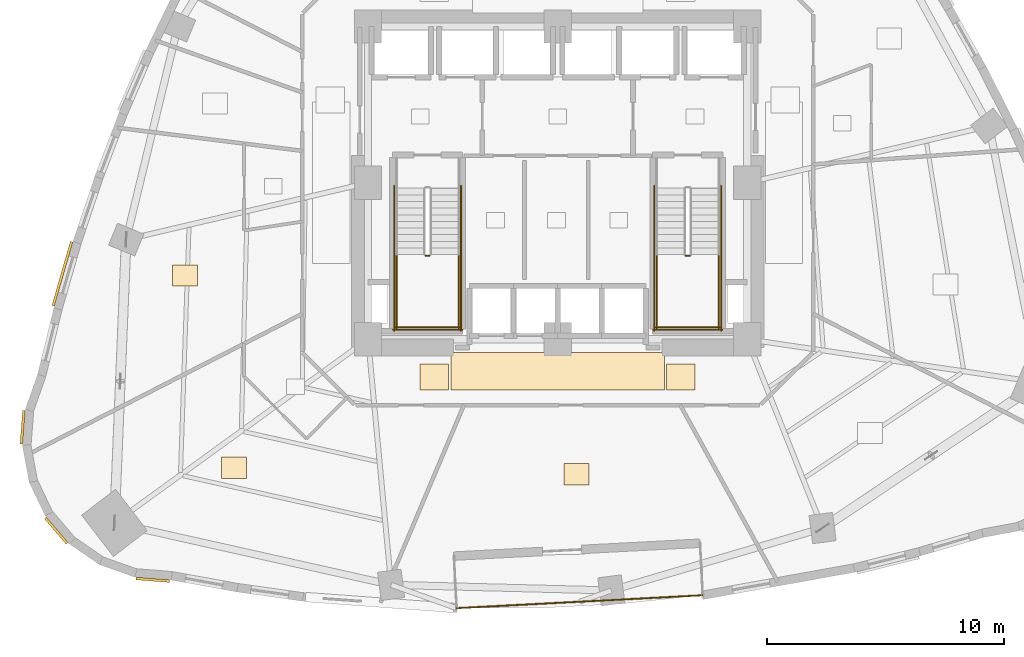
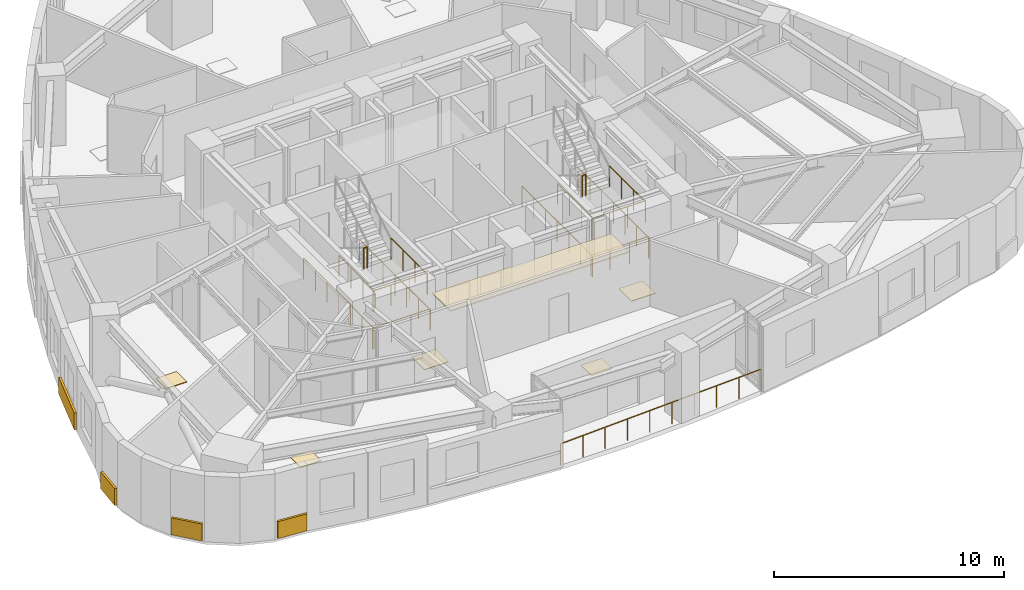
# One storey, part 9 of 11: 15 railings, 10 coverings.
"""IFC4 building model written with IfcOpenShell, lengths in metres."""

from ifc_helpers import new_model, si_unit, direction, frame, origin, origin_2d, place, context, subcontext, project, spatial, rectangle, circle, extrude, material, layer, layer_set, type_object, element, save


model = new_model("IFC4")

# Units and contexts
model_context = context("Model", 3, precision=1e-05, world=origin(), true_north=direction((0.0, 1.0)))
body_context = subcontext(model_context, "Body", "Model", "MODEL_VIEW")
ifc_project = project(units=[si_unit("LENGTHUNIT", "METRE"), si_unit("AREAUNIT", "SQUARE_METRE"), si_unit("VOLUMEUNIT", "CUBIC_METRE"), si_unit("PLANEANGLEUNIT", "RADIAN"), si_unit("MASSUNIT", "GRAM", prefix="KILO")], contexts=[model_context])

# Site, building, storey
site_placement = place(None, origin())
site = spatial("IfcSite", under=ifc_project, at=site_placement, CompositionType="ELEMENT")
building_placement = place(site_placement, origin())
building = spatial("IfcBuilding", under=site, at=building_placement, Name="Ndelora Gate Hotel", CompositionType="ELEMENT")
storey_placement = place(building_placement, frame((0.0, 0.0, 41.75)))
storey = spatial("IfcBuildingStorey", under=building, at=storey_placement, Name="L09", CompositionType="ELEMENT", Elevation=41.75)

# Coverings
ifc_material_1 = material(Name="Perforated Acoustic Gypsum Board", Category="gypsum")
ifc_layer_1 = layer(ifc_material_1, 0.054931640625)
ifc_layer_set_1 = layer_set([ifc_layer_1], Name="Perforated Acoustic Gypsum Board")
covering_type_1 = type_object("IfcCoveringType", Name="COV-CEIL-AC60", PredefinedType="CEILING", material=ifc_layer_set_1)
covering_1_placement = place(storey_placement, frame((0.0, -7.9599609375, 2.65234375), z_axis=(0.0, 0.0, 1.0), x_axis=(1.0, 0.0, 0.0)))
element("IfcCovering", 1, at=covering_1_placement, inside=storey, type_object=covering_type_1, Name="L09 Guest Corridor Acoustic Ceiling S", PredefinedType="CEILING", context=body_context, shape_type="SweptSolid", body=[
    extrude(rectangle(XDim=9.0, YDim=1.580078125, at=origin_2d()), origin(), (0.0, 0.0, 1.0), 0.054931640625),
])
ifc_material_2 = material(Name="Terracotta Fired Clay Brick Slip Cladding", Category="masonry")
ifc_layer_2 = layer(ifc_material_2, 0.110107421875)
ifc_layer_set_2 = layer_set([ifc_layer_2], Name="Terracotta Fired Clay Brick Slip Cladding")
covering_type_2 = type_object("IfcCoveringType", Name="COV-CLAD-BRK", PredefinedType="CLADDING", material=ifc_layer_set_2)
covering_2_placement = place(storey_placement, frame((-20.9013671875, -3.839111328125, 0.10009765625), z_axis=(0.0, 0.0, 1.0), x_axis=(0.277482336674, 0.960730738987, 0.0)))
element("IfcCovering", 2, at=covering_2_placement, inside=storey, type_object=covering_type_2, Name="L09 Rounded-Corner Brick Cladding Band 19", PredefinedType="CLADDING", context=body_context, shape_type="SweptSolid", body=[
    extrude(rectangle(XDim=2.81103515625, YDim=0.110107421875, at=origin_2d()), origin(), (0.0, 0.0, 1.0), 0.89990234375),
])
for number, where, z_axis, x_axis, name in (
    (3, (-22.57763671875, -10.318603515625, 0.10009765625), (0.0, 0.0, 1.0), (0.078459095728, 0.996917333733, 0.0), "L09 Rounded-Corner Brick Cladding Band 22"),
    (4, (-21.16259765625, -14.67431640625, 0.10009765625), (0.0, 0.0, 1.0), (-0.64944804833, 0.7604059656, 0.0), "L09 Rounded-Corner Brick Cladding Band 25"),
    (5, (-17.081787109375, -16.753662109375, 0.10009765625), (0.0, 0.0, 1.0), (-0.996917333733, 0.078459095728, 0.0), "L09 Rounded-Corner Brick Cladding Band 28"),
):
    element("IfcCovering", number, at=place(storey_placement, frame(where, z_axis=z_axis, x_axis=x_axis)), inside=storey, type_object=covering_type_2, Name=name, PredefinedType="CLADDING", context=body_context, shape_type="SweptSolid", body=[
        extrude(rectangle(XDim=1.4140625, YDim=0.110107421875, at=origin_2d()), origin(), (0.0, 0.0, 1.0), 0.89990234375),
    ])
ifc_material_3 = material(Name="Engineered Highland Oak Parquet", Category="wood")
ifc_layer_3 = layer(ifc_material_3, 0.030029296875)
ifc_layer_set_3 = layer_set([ifc_layer_3], Name="Engineered Highland Oak Parquet")
covering_type_3 = type_object("IfcCoveringType", Name="COV-FLR-PARQ", PredefinedType="FLOORING", material=ifc_layer_set_3)
for number, where, z_axis, x_axis, name in (
    (6, (-15.7294921875, -3.9150390625, 0.0), (0.0, 0.0, 1.0), (1.0, 0.0, 0.0), "L09 Executive King Junior Suite 1201 Oak Parquet Flooring"),
    (7, (-13.653564453125, -12.023681640625, 0.0), (0.0, 0.0, 1.0), (1.0, 0.0, 0.0), "L09 Corner Diplomatic Suite 1202 Oak Parquet Flooring"),
    (8, (0.79541015625, -12.294189453125, 0.0), (0.0, 0.0, 1.0), (1.0, 0.0, 0.0), "L09 Sky Garden Tea Dining Room Oak Parquet Flooring"),
):
    element("IfcCovering", number, at=place(storey_placement, frame(where, z_axis=z_axis, x_axis=x_axis)), inside=storey, type_object=covering_type_3, Name=name, PredefinedType="FLOORING", context=body_context, shape_type="SweptSolid", body=[
        extrude(rectangle(XDim=1.050048828125, YDim=0.89990234375, at=origin_2d()), origin(), (0.0, 0.0, 1.0), 0.030029296875),
    ])
ifc_material_4 = material(Name="Polished Highland Stone Terrazzo", Category="masonry")
ifc_layer_4 = layer(ifc_material_4, 0.034912109375)
ifc_layer_set_4 = layer_set([ifc_layer_4], Name="Polished Highland Stone Terrazzo")
covering_type_4 = type_object("IfcCoveringType", Name="COV-FLR-TERZ", PredefinedType="FLOORING", material=ifc_layer_set_4)
for number, where, z_axis, x_axis, name in (
    (9, (-5.199951171875, -8.199951171875, 0.0), (0.0, 0.0, 1.0), (1.0, 0.0, 0.0), "L09 Corridor Threshold Terrazzo Inlay SW"),
    (10, (5.199951171875, -8.199951171875, 0.0), (0.0, 0.0, 1.0), (1.0, 0.0, 0.0), "L09 Corridor Threshold Terrazzo Inlay SE"),
):
    element("IfcCovering", number, at=place(storey_placement, frame(where, z_axis=z_axis, x_axis=x_axis)), inside=storey, type_object=covering_type_4, Name=name, PredefinedType="FLOORING", context=body_context, shape_type="SweptSolid", body=[
        extrude(rectangle(XDim=1.199951171875, YDim=1.10009765625, at=origin_2d()), origin(), (0.0, 0.0, 1.0), 0.034912109375),
    ])

# Railings
ifc_material_5 = material(Name="Laminated Safety Glass and Bronze Top Rail", Category="glass")
ifc_layer_5 = layer(ifc_material_5, 0.070068359375)
ifc_layer_set_5 = layer_set([ifc_layer_5], Name="Laminated Safety Glass and Bronze Top Rail")
railing_type_1 = type_object("IfcRailingType", Name="RL-BAL-1150", PredefinedType="BALUSTRADE", material=ifc_layer_set_5)
railing_1_placement = place(storey_placement, frame((-4.266357421875, -17.94970703125, 0.0)))
element("IfcRailing", 11, at=railing_1_placement, inside=storey, type_object=railing_type_1, Name="L09 Sky-Garden Loggia Terrace Balustrade", PredefinedType="BALUSTRADE", context=body_context, shape_type="SweptSolid", body=[
    extrude(circle(Radius=0.02392578125, at=origin_2d()), frame((0.0, 0.0, 1.1357421875), z_axis=(0.998630058509, 0.052325961458, 0.0), x_axis=(-0.052325961458, 0.998630058509, 0.0)), (0.0, 0.0, 1.0), 10.39990234375),
    extrude(circle(Radius=0.02099609375, at=origin_2d()), origin(), (0.0, 0.0, 1.0), 1.11181640625),
    extrude(circle(Radius=0.02099609375, at=origin_2d()), frame((1.154052734375, 0.060546875, 0.0)), (0.0, 0.0, 1.0), 1.11181640625),
    extrude(circle(Radius=0.02099609375, at=origin_2d()), frame((2.307861328125, 0.120849609375, 0.0)), (0.0, 0.0, 1.0), 1.11181640625),
    extrude(circle(Radius=0.02099609375, at=origin_2d()), frame((3.4619140625, 0.181396484375, 0.0)), (0.0, 0.0, 1.0), 1.11181640625),
    extrude(circle(Radius=0.02099609375, at=origin_2d()), frame((4.615966796875, 0.241943359375, 0.0)), (0.0, 0.0, 1.0), 1.11181640625),
    extrude(circle(Radius=0.02099609375, at=origin_2d()), frame((5.769775390625, 0.30224609375, 0.0)), (0.0, 0.0, 1.0), 1.11181640625),
    extrude(circle(Radius=0.02099609375, at=origin_2d()), frame((6.923828125, 0.36279296875, 0.0)), (0.0, 0.0, 1.0), 1.11181640625),
    extrude(circle(Radius=0.02099609375, at=origin_2d()), frame((8.077880859375, 0.42333984375, 0.0)), (0.0, 0.0, 1.0), 1.11181640625),
    extrude(circle(Radius=0.02099609375, at=origin_2d()), frame((9.231689453125, 0.483642578125, 0.0)), (0.0, 0.0, 1.0), 1.11181640625),
    extrude(circle(Radius=0.02099609375, at=origin_2d()), frame((10.3857421875, 0.544189453125, 0.0)), (0.0, 0.0, 1.0), 1.11181640625),
])
ifc_material_6 = material(Name="Painted Galvanized Steel Balustrade", Category="steel")
ifc_layer_6 = layer(ifc_material_6, 0.06005859375)
ifc_layer_set_6 = layer_set([ifc_layer_6], Name="Painted Galvanized Steel Balustrade")
railing_type_2 = type_object("IfcRailingType", Name="RL-STAIR-GD", PredefinedType="GUARDRAIL", material=ifc_layer_set_6)
railing_2_placement = place(storey_placement, frame((-5.570068359375, -3.080078125, 1.875)))
element("IfcRailing", 12, at=railing_2_placement, inside=storey, type_object=railing_type_2, Name="L09 ST4 stair guard 2", PredefinedType="GUARDRAIL", context=body_context, shape_type="SweptSolid", body=[
    extrude(circle(Radius=0.02392578125, at=origin_2d()), frame((0.0, 0.0, 1.10595703125), z_axis=(1.0, 0.0, 0.0), x_axis=(0.0, 1.0, 0.0)), (0.0, 0.0, 1.0), 0.16015625),
    extrude(circle(Radius=0.02099609375, at=origin_2d()), origin(), (0.0, 0.0, 1.0), 1.081787109375),
    extrude(circle(Radius=0.02099609375, at=origin_2d()), frame((0.16015625, 0.0, 0.0)), (0.0, 0.0, 1.0), 1.081787109375),
])
for number, where, name in (
    (13, (-6.800048828125, -3.030029296875, 1.875), "L09 ST4 stair guard 3"),
    (14, (-4.179931640625, -3.030029296875, 1.875), "L09 ST4 stair guard 4"),
):
    element("IfcRailing", number, at=place(storey_placement, frame(where)), inside=storey, type_object=railing_type_2, Name=name, PredefinedType="GUARDRAIL", context=body_context, shape_type="SweptSolid", body=[
        extrude(circle(Radius=0.02392578125, at=origin_2d()), frame((0.0, 0.0, 1.10595703125), z_axis=(0.0, -1.0, 0.0), x_axis=(1.0, 0.0, 0.0)), (0.0, 0.0, 1.0), 3.119873046875),
        extrude(circle(Radius=0.02099609375, at=origin_2d()), origin(), (0.0, 0.0, 1.0), 1.081787109375),
        extrude(circle(Radius=0.02099609375, at=origin_2d()), frame((0.0, -1.0400390625, 0.0)), (0.0, 0.0, 1.0), 1.081787109375),
        extrude(circle(Radius=0.02099609375, at=origin_2d()), frame((0.0, -2.079833984375, 0.0)), (0.0, 0.0, 1.0), 1.081787109375),
        extrude(circle(Radius=0.02099609375, at=origin_2d()), frame((0.0, -3.119873046875, 0.0)), (0.0, 0.0, 1.0), 1.081787109375),
    ])
railing_3_placement = place(storey_placement, frame((-6.85009765625, -6.10009765625, 1.875)))
element("IfcRailing", 15, at=railing_3_placement, inside=storey, type_object=railing_type_2, Name="L09 ST4 stair guard 5", PredefinedType="GUARDRAIL", context=body_context, shape_type="SweptSolid", body=[
    extrude(circle(Radius=0.02392578125, at=origin_2d()), frame((0.0, 0.0, 1.10595703125), z_axis=(1.0, 0.0, 0.0), x_axis=(0.0, 1.0, 0.0)), (0.0, 0.0, 1.0), 2.72021484375),
    extrude(circle(Radius=0.02099609375, at=origin_2d()), origin(), (0.0, 0.0, 1.0), 1.081787109375),
    extrude(circle(Radius=0.02099609375, at=origin_2d()), frame((0.90673828125, 0.0, 0.0)), (0.0, 0.0, 1.0), 1.081787109375),
    extrude(circle(Radius=0.02099609375, at=origin_2d()), frame((1.8134765625, 0.0, 0.0)), (0.0, 0.0, 1.0), 1.081787109375),
    extrude(circle(Radius=0.02099609375, at=origin_2d()), frame((2.72021484375, 0.0, 0.0)), (0.0, 0.0, 1.0), 1.081787109375),
])
for number, where, name in (
    (16, (-6.89990234375, -0.1298828125, 0.0), "L09 ST4 stair guard 10"),
    (17, (-4.080078125, -0.1298828125, 0.0), "L09 ST4 stair guard 11"),
):
    element("IfcRailing", number, at=place(storey_placement, frame(where)), inside=storey, type_object=railing_type_2, Name=name, PredefinedType="GUARDRAIL", context=body_context, shape_type="SweptSolid", body=[
        extrude(circle(Radius=0.02392578125, at=origin_2d()), frame((0.0, 0.0, 1.10595703125), z_axis=(0.0, -1.0, 0.0), x_axis=(1.0, 0.0, 0.0)), (0.0, 0.0, 1.0), 6.1201171875),
        extrude(circle(Radius=0.02099609375, at=origin_2d()), origin(), (0.0, 0.0, 1.0), 1.081787109375),
        extrude(circle(Radius=0.02099609375, at=origin_2d()), frame((0.0, -1.02001953125, 0.0)), (0.0, 0.0, 1.0), 1.081787109375),
        extrude(circle(Radius=0.02099609375, at=origin_2d()), frame((0.0, -2.0400390625, 0.0)), (0.0, 0.0, 1.0), 1.081787109375),
        extrude(circle(Radius=0.02099609375, at=origin_2d()), frame((0.0, -3.06005859375, 0.0)), (0.0, 0.0, 1.0), 1.081787109375),
        extrude(circle(Radius=0.02099609375, at=origin_2d()), frame((0.0, -4.080078125, 0.0)), (0.0, 0.0, 1.0), 1.081787109375),
        extrude(circle(Radius=0.02099609375, at=origin_2d()), frame((0.0, -5.10009765625, 0.0)), (0.0, 0.0, 1.0), 1.081787109375),
        extrude(circle(Radius=0.02099609375, at=origin_2d()), frame((0.0, -6.1201171875, 0.0)), (0.0, 0.0, 1.0), 1.081787109375),
    ])
railing_4_placement = place(storey_placement, frame((-6.949951171875, -6.199951171875, 0.0)))
element("IfcRailing", 18, at=railing_4_placement, inside=storey, type_object=railing_type_2, Name="L09 ST4 stair guard 12", PredefinedType="GUARDRAIL", context=body_context, shape_type="SweptSolid", body=[
    extrude(circle(Radius=0.02392578125, at=origin_2d()), frame((0.0, 0.0, 1.10595703125), z_axis=(1.0, 0.0, 0.0), x_axis=(0.0, 1.0, 0.0)), (0.0, 0.0, 1.0), 2.919921875),
    extrude(circle(Radius=0.02099609375, at=origin_2d()), origin(), (0.0, 0.0, 1.0), 1.081787109375),
    extrude(circle(Radius=0.02099609375, at=origin_2d()), frame((0.973388671875, 0.0, 0.0)), (0.0, 0.0, 1.0), 1.081787109375),
    extrude(circle(Radius=0.02099609375, at=origin_2d()), frame((1.946533203125, 0.0, 0.0)), (0.0, 0.0, 1.0), 1.081787109375),
    extrude(circle(Radius=0.02099609375, at=origin_2d()), frame((2.919921875, 0.0, 0.0)), (0.0, 0.0, 1.0), 1.081787109375),
])
railing_5_placement = place(storey_placement, frame((5.409912109375, -3.080078125, 1.875)))
element("IfcRailing", 19, at=railing_5_placement, inside=storey, type_object=railing_type_2, Name="L09 ST5 stair guard 2", PredefinedType="GUARDRAIL", context=body_context, shape_type="SweptSolid", body=[
    extrude(circle(Radius=0.02392578125, at=origin_2d()), frame((0.0, 0.0, 1.10595703125), z_axis=(1.0, 0.0, 0.0), x_axis=(0.0, 1.0, 0.0)), (0.0, 0.0, 1.0), 0.16015625),
    extrude(circle(Radius=0.02099609375, at=origin_2d()), origin(), (0.0, 0.0, 1.0), 1.081787109375),
    extrude(circle(Radius=0.02099609375, at=origin_2d()), frame((0.16015625, 0.0, 0.0)), (0.0, 0.0, 1.0), 1.081787109375),
])
for number, where, name in (
    (20, (4.179931640625, -3.030029296875, 1.875), "L09 ST5 stair guard 3"),
    (21, (6.800048828125, -3.030029296875, 1.875), "L09 ST5 stair guard 4"),
):
    element("IfcRailing", number, at=place(storey_placement, frame(where)), inside=storey, type_object=railing_type_2, Name=name, PredefinedType="GUARDRAIL", context=body_context, shape_type="SweptSolid", body=[
        extrude(circle(Radius=0.02392578125, at=origin_2d()), frame((0.0, 0.0, 1.10595703125), z_axis=(0.0, -1.0, 0.0), x_axis=(1.0, 0.0, 0.0)), (0.0, 0.0, 1.0), 3.119873046875),
        extrude(circle(Radius=0.02099609375, at=origin_2d()), origin(), (0.0, 0.0, 1.0), 1.081787109375),
        extrude(circle(Radius=0.02099609375, at=origin_2d()), frame((0.0, -1.0400390625, 0.0)), (0.0, 0.0, 1.0), 1.081787109375),
        extrude(circle(Radius=0.02099609375, at=origin_2d()), frame((0.0, -2.079833984375, 0.0)), (0.0, 0.0, 1.0), 1.081787109375),
        extrude(circle(Radius=0.02099609375, at=origin_2d()), frame((0.0, -3.119873046875, 0.0)), (0.0, 0.0, 1.0), 1.081787109375),
    ])
railing_6_placement = place(storey_placement, frame((4.1298828125, -6.10009765625, 1.875)))
element("IfcRailing", 22, at=railing_6_placement, inside=storey, type_object=railing_type_2, Name="L09 ST5 stair guard 5", PredefinedType="GUARDRAIL", context=body_context, shape_type="SweptSolid", body=[
    extrude(circle(Radius=0.02392578125, at=origin_2d()), frame((0.0, 0.0, 1.10595703125), z_axis=(1.0, 0.0, 0.0), x_axis=(0.0, 1.0, 0.0)), (0.0, 0.0, 1.0), 2.72021484375),
    extrude(circle(Radius=0.02099609375, at=origin_2d()), origin(), (0.0, 0.0, 1.0), 1.081787109375),
    extrude(circle(Radius=0.02099609375, at=origin_2d()), frame((0.90673828125, 0.0, 0.0)), (0.0, 0.0, 1.0), 1.081787109375),
    extrude(circle(Radius=0.02099609375, at=origin_2d()), frame((1.8134765625, 0.0, 0.0)), (0.0, 0.0, 1.0), 1.081787109375),
    extrude(circle(Radius=0.02099609375, at=origin_2d()), frame((2.72021484375, 0.0, 0.0)), (0.0, 0.0, 1.0), 1.081787109375),
])
for number, where, name in (
    (23, (4.080078125, -0.1298828125, 0.0), "L09 ST5 stair guard 10"),
    (24, (6.89990234375, -0.1298828125, 0.0), "L09 ST5 stair guard 11"),
):
    element("IfcRailing", number, at=place(storey_placement, frame(where)), inside=storey, type_object=railing_type_2, Name=name, PredefinedType="GUARDRAIL", context=body_context, shape_type="SweptSolid", body=[
        extrude(circle(Radius=0.02392578125, at=origin_2d()), frame((0.0, 0.0, 1.10595703125), z_axis=(0.0, -1.0, 0.0), x_axis=(1.0, 0.0, 0.0)), (0.0, 0.0, 1.0), 6.1201171875),
        extrude(circle(Radius=0.02099609375, at=origin_2d()), origin(), (0.0, 0.0, 1.0), 1.081787109375),
        extrude(circle(Radius=0.02099609375, at=origin_2d()), frame((0.0, -1.02001953125, 0.0)), (0.0, 0.0, 1.0), 1.081787109375),
        extrude(circle(Radius=0.02099609375, at=origin_2d()), frame((0.0, -2.0400390625, 0.0)), (0.0, 0.0, 1.0), 1.081787109375),
        extrude(circle(Radius=0.02099609375, at=origin_2d()), frame((0.0, -3.06005859375, 0.0)), (0.0, 0.0, 1.0), 1.081787109375),
        extrude(circle(Radius=0.02099609375, at=origin_2d()), frame((0.0, -4.080078125, 0.0)), (0.0, 0.0, 1.0), 1.081787109375),
        extrude(circle(Radius=0.02099609375, at=origin_2d()), frame((0.0, -5.10009765625, 0.0)), (0.0, 0.0, 1.0), 1.081787109375),
        extrude(circle(Radius=0.02099609375, at=origin_2d()), frame((0.0, -6.1201171875, 0.0)), (0.0, 0.0, 1.0), 1.081787109375),
    ])
railing_7_placement = place(storey_placement, frame((4.030029296875, -6.199951171875, 0.0)))
element("IfcRailing", 25, at=railing_7_placement, inside=storey, type_object=railing_type_2, Name="L09 ST5 stair guard 12", PredefinedType="GUARDRAIL", context=body_context, shape_type="SweptSolid", body=[
    extrude(circle(Radius=0.02392578125, at=origin_2d()), frame((0.0, 0.0, 1.10595703125), z_axis=(1.0, 0.0, 0.0), x_axis=(0.0, 1.0, 0.0)), (0.0, 0.0, 1.0), 2.919921875),
    extrude(circle(Radius=0.02099609375, at=origin_2d()), origin(), (0.0, 0.0, 1.0), 1.081787109375),
    extrude(circle(Radius=0.02099609375, at=origin_2d()), frame((0.973388671875, 0.0, 0.0)), (0.0, 0.0, 1.0), 1.081787109375),
    extrude(circle(Radius=0.02099609375, at=origin_2d()), frame((1.946533203125, 0.0, 0.0)), (0.0, 0.0, 1.0), 1.081787109375),
    extrude(circle(Radius=0.02099609375, at=origin_2d()), frame((2.919921875, 0.0, 0.0)), (0.0, 0.0, 1.0), 1.081787109375),
])

save(model, "model.ifc")
